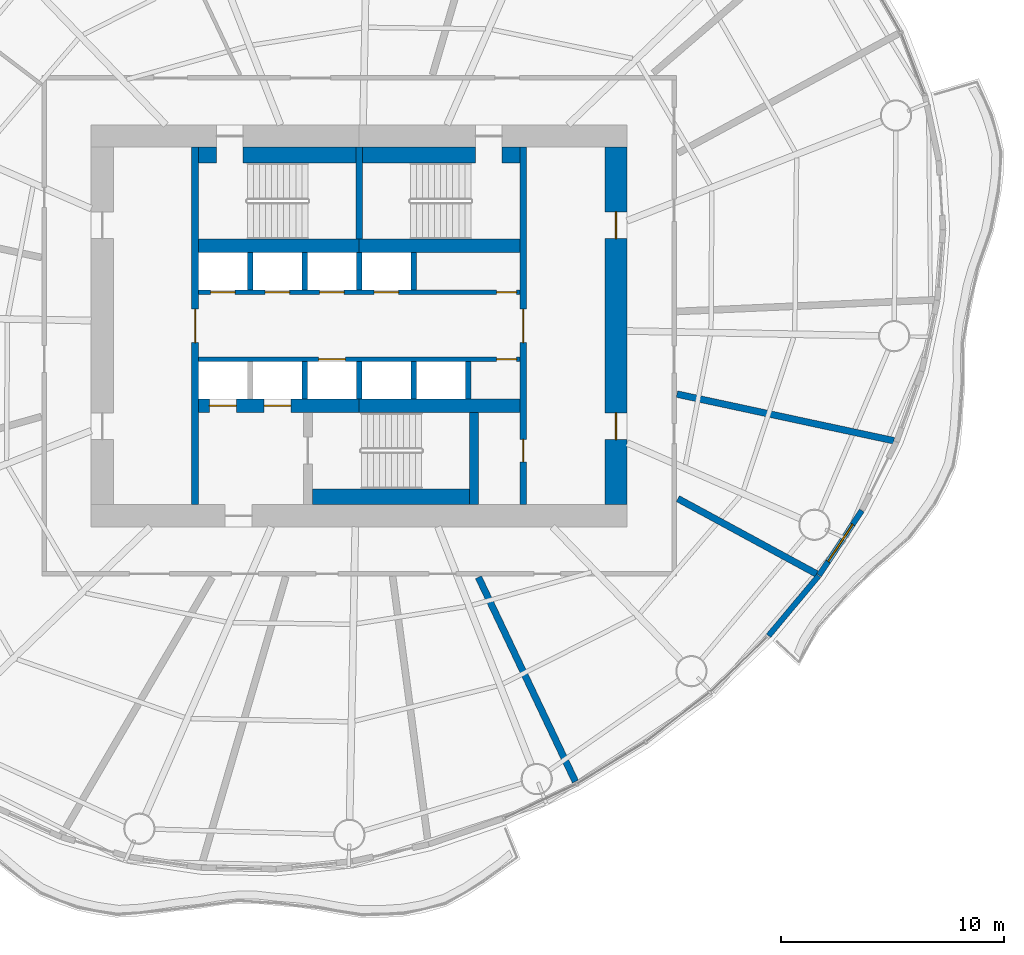
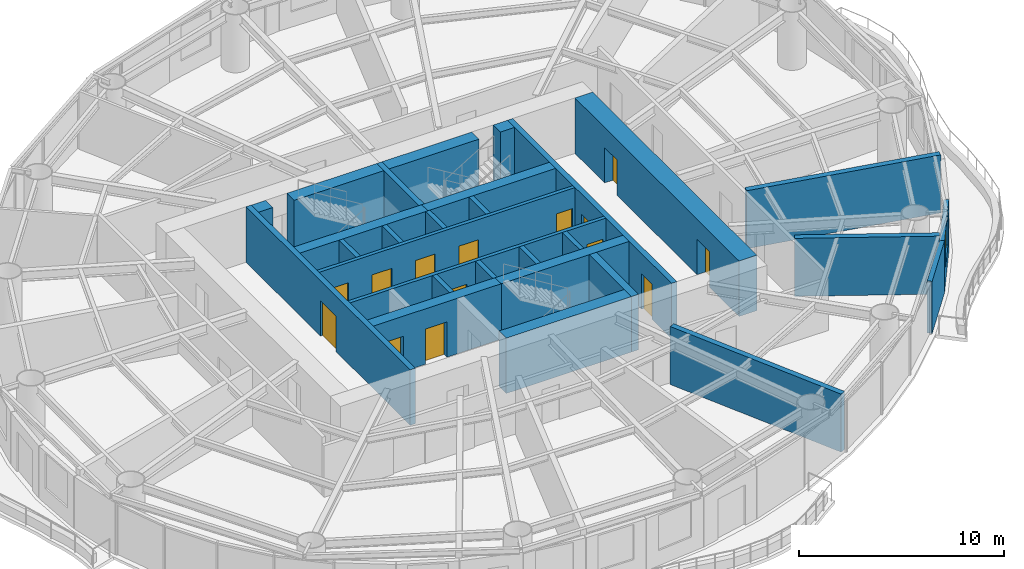
# One storey, part 9 of 14: 29 walls, 14 doors, 1 window, 15 openings.
"""IFC4 building model written with IfcOpenShell, lengths in metres."""

from ifc_helpers import new_model, si_unit, direction, frame, frame_2d, origin, place, context, subcontext, project, spatial, rectangle, extrude, material, layer, layer_set, type_object, element, fill, save


model = new_model("IFC4")

# Units and contexts
model_context = context("Model", 3, precision=1e-05, world=origin(), true_north=direction((0.0, 1.0)))
body_context = subcontext(model_context, "Body", "Model", "MODEL_VIEW")
ifc_project = project(units=[si_unit("LENGTHUNIT", "METRE"), si_unit("AREAUNIT", "SQUARE_METRE"), si_unit("VOLUMEUNIT", "CUBIC_METRE"), si_unit("PLANEANGLEUNIT", "RADIAN"), si_unit("MASSUNIT", "GRAM", prefix="KILO")], contexts=[model_context])

# Site, building, storey
site_placement = place(None, origin())
site = spatial("IfcSite", under=ifc_project, at=site_placement, CompositionType="ELEMENT")
building_placement = place(site_placement, origin())
building = spatial("IfcBuilding", under=site, at=building_placement, Name="Vermilion Reach Broadcast Tower", CompositionType="ELEMENT")
storey_placement = place(building_placement, frame((0.0, 0.0, 172.199951171875)))
storey = spatial("IfcBuildingStorey", under=building, at=storey_placement, Name="L41", CompositionType="ELEMENT", Elevation=172.199951171875)

# Wall, opening, door
ifc_material_1 = material(Name="Concrete C70", Category="concrete")
ifc_layer_1 = layer(ifc_material_1, 0.300048828125)
ifc_layer_set_1 = layer_set([ifc_layer_1], Name="Core inner wall 300 mm Concrete C70")
wall_type_1 = type_object("IfcWallType", Name="Core inner wall 300 mm Concrete C70", PredefinedType="SHEAR", material=ifc_layer_set_1)
wall_1_placement = place(storey_placement, frame((-13.35009765625, 8.0, 0.0), z_axis=(0.0, 0.0, 1.0), x_axis=(0.0, -1.0, 0.0)))
wall_1 = element("IfcWall", 1, at=wall_1_placement, inside=storey, type_object=wall_type_1, Name="L41 core wall ewW", PredefinedType="SHEAR", context=body_context, shape_type="SweptSolid", body=[
    extrude(rectangle(XDim=16.0, YDim=0.300048828125, at=frame_2d((8.0, 0.0))), origin(), (0.0, 0.0, 1.0), 3.300048828125),
])
opening_1_placement = place(wall_1_placement, frame((7.25, 0.0, 0.0)))
opening_1 = element("IfcOpeningElement", 2, at=opening_1_placement, cuts=wall_1, Name="Opening D04", PredefinedType="OPENING", context=body_context, shape_type="SweptSolid", body=[
    extrude(rectangle(XDim=1.5, YDim=2.10009765625, at=frame_2d((0.75, 1.050048828125))), frame((0.0, 0.159912109375, 0.0), z_axis=(0.0, -1.0, 0.0), x_axis=(1.0, 0.0, 0.0)), (0.0, 0.0, 1.0), 0.320068359375),
])
ifc_material_2 = material(Name="Painted steel fire door", Category="steel")
door_type_1 = type_object("IfcDoorType", Name="Lift lobby door 1500 x 2100", OperationType="DOUBLE_DOOR_SINGLE_SWING", PredefinedType="NOTDEFINED", material=ifc_material_2)
door_1_placement = place(opening_1_placement, origin())
door_1 = element("IfcDoor", 3, at=door_1_placement, inside=storey, type_object=door_type_1, Name="L41 band door BW", OperationType="DOUBLE_DOOR_SINGLE_SWING", OverallHeight=2.10009765625, OverallWidth=1.5, PredefinedType="NOTDEFINED", context=body_context, shape_type="SweptSolid", body=[
    extrude(rectangle(XDim=1.5, YDim=2.10009765625, at=frame_2d((0.75, 1.050048828125))), frame((0.0, 0.02490234375, 0.0), z_axis=(0.0, -1.0, 0.0), x_axis=(1.0, 0.0, 0.0)), (0.0, 0.0, 1.0), 0.050048828125),
])
fill(opening_1, door_1)

# Wall, openings, doors
wall_2_placement = place(storey_placement, frame((1.35009765625, -8.0, 0.0), z_axis=(0.0, 0.0, 1.0), x_axis=(0.0, 1.0, 0.0)))
wall_2 = element("IfcWall", 4, at=wall_2_placement, inside=storey, type_object=wall_type_1, Name="L41 core wall ewE", PredefinedType="SHEAR", context=body_context, shape_type="SweptSolid", body=[
    extrude(rectangle(XDim=16.0, YDim=0.300048828125, at=frame_2d((8.0, 0.0))), origin(), (0.0, 0.0, 1.0), 3.300048828125),
])
opening_2_placement = place(wall_2_placement, frame((1.909912109375, 0.0, 0.0)))
opening_2 = element("IfcOpeningElement", 5, at=opening_2_placement, cuts=wall_2, Name="Opening D05", PredefinedType="OPENING", context=body_context, shape_type="SweptSolid", body=[
    extrude(rectangle(XDim=1.0, YDim=2.10009765625, at=frame_2d((0.5, 1.050048828125))), frame((0.0, 0.159912109375, 0.0), z_axis=(0.0, -1.0, 0.0), x_axis=(1.0, 0.0, 0.0)), (0.0, 0.0, 1.0), 0.320068359375),
])
opening_3_placement = place(wall_2_placement, frame((7.25, 0.0, 0.0)))
opening_3 = element("IfcOpeningElement", 6, at=opening_3_placement, cuts=wall_2, Name="Opening D04", PredefinedType="OPENING", context=body_context, shape_type="SweptSolid", body=[
    extrude(rectangle(XDim=1.5, YDim=2.10009765625, at=frame_2d((0.75, 1.050048828125))), frame((0.0, 0.159912109375, 0.0), z_axis=(0.0, -1.0, 0.0), x_axis=(1.0, 0.0, 0.0)), (0.0, 0.0, 1.0), 0.320068359375),
])
door_2_placement = place(opening_3_placement, origin())
door_2 = element("IfcDoor", 7, at=door_2_placement, inside=storey, type_object=door_type_1, Name="L41 band door BE", OperationType="DOUBLE_DOOR_SINGLE_SWING", OverallHeight=2.10009765625, OverallWidth=1.5, PredefinedType="NOTDEFINED", context=body_context, shape_type="SweptSolid", body=[
    extrude(rectangle(XDim=1.5, YDim=2.10009765625, at=frame_2d((0.75, 1.050048828125))), frame((0.0, 0.02490234375, 0.0), z_axis=(0.0, -1.0, 0.0), x_axis=(1.0, 0.0, 0.0)), (0.0, 0.0, 1.0), 0.050048828125),
])
fill(opening_3, door_2)
ifc_material_3 = material(Name="Timber door", Category="wood")
door_type_2 = type_object("IfcDoorType", Name="Room door 1000 x 2100", OperationType="NOTDEFINED", PredefinedType="NOTDEFINED", material=ifc_material_3)
door_3_placement = place(opening_2_placement, origin())
door_3 = element("IfcDoor", 8, at=door_3_placement, inside=storey, type_object=door_type_2, Name="L41 door SER", OperationType="SINGLE_SWING_LEFT", OverallHeight=2.10009765625, OverallWidth=1.0, PredefinedType="NOTDEFINED", context=body_context, shape_type="SweptSolid", body=[
    extrude(rectangle(XDim=1.0, YDim=2.10009765625, at=frame_2d((0.5, 1.050048828125))), frame((0.0, 0.02490234375, 0.0), z_axis=(0.0, -1.0, 0.0), x_axis=(1.0, 0.0, 0.0)), (0.0, 0.0, 1.0), 0.050048828125),
])
fill(opening_2, door_3)

# Walls
wall_3_placement = place(storey_placement, frame((-6.0, 3.8798828125, 0.0), z_axis=(0.0, 0.0, 1.0), x_axis=(0.0, 1.0, 0.0)))
element("IfcWall", 9, at=wall_3_placement, inside=storey, type_object=wall_type_1, Name="L41 core wall wc", PredefinedType="SHEAR", context=body_context, shape_type="SweptSolid", body=[
    extrude(rectangle(XDim=4.1201171875, YDim=0.300048828125, at=frame_2d((2.06005859375, 0.0))), origin(), (0.0, 0.0, 1.0), 3.300048828125),
])
ifc_material_4 = material(Name="Concrete C70", Category="concrete")
ifc_layer_2 = layer(ifc_material_4, 0.39990234375)
ifc_layer_set_2 = layer_set([ifc_layer_2], Name="Core inner wall 400 mm Concrete C70")
wall_type_2 = type_object("IfcWallType", Name="Core inner wall 400 mm Concrete C70", PredefinedType="SHEAR", material=ifc_layer_set_2)
wall_4_placement = place(storey_placement, frame((-0.85009765625, -3.8798828125, 0.0), z_axis=(0.0, 0.0, 1.0), x_axis=(0.0, -1.0, 0.0)))
element("IfcWall", 10, at=wall_4_placement, inside=storey, type_object=wall_type_2, Name="L41 core wall wb", PredefinedType="SHEAR", context=body_context, shape_type="SweptSolid", body=[
    extrude(rectangle(XDim=4.1201171875, YDim=0.39990234375, at=frame_2d((2.06005859375, 0.0))), origin(), (0.0, 0.0, 1.0), 3.300048828125),
])
ifc_material_5 = material(Name="Concrete C70", Category="concrete")
ifc_layer_3 = layer(ifc_material_5, 0.60009765625)
ifc_layer_set_3 = layer_set([ifc_layer_3], Name="Core inner wall 600 mm Concrete C70")
wall_type_3 = type_object("IfcWallType", Name="Core inner wall 600 mm Concrete C70", PredefinedType="SHEAR", material=ifc_layer_set_3)
for number, where, z_axis, x_axis, name in (
    (11, (-13.199951171875, 3.580078125, 0.0), (0.0, 0.0, 1.0), (1.0, 0.0, 0.0), "L41 core wall winW"),
    (12, (-6.0, 3.580078125, 0.0), (0.0, 0.0, 1.0), (1.0, 0.0, 0.0), "L41 core wall winE"),
):
    element("IfcWall", number, at=place(storey_placement, frame(where, z_axis=z_axis, x_axis=x_axis)), inside=storey, type_object=wall_type_3, Name=name, PredefinedType="SHEAR", context=body_context, shape_type="SweptSolid", body=[
        extrude(rectangle(XDim=7.199951171875, YDim=0.60009765625, at=frame_2d((3.60009765625, 0.0))), origin(), (0.0, 0.0, 1.0), 3.300048828125),
    ])

# Wall, openings, doors
wall_5_placement = place(storey_placement, frame((-13.199951171875, -3.580078125, 0.0), z_axis=(0.0, 0.0, 1.0), x_axis=(1.0, 0.0, 0.0)))
wall_5 = element("IfcWall", 13, at=wall_5_placement, inside=storey, type_object=wall_type_3, Name="L41 core wall wisW", PredefinedType="SHEAR", context=body_context, shape_type="SweptSolid", body=[
    extrude(rectangle(XDim=7.199951171875, YDim=0.60009765625, at=frame_2d((3.60009765625, 0.0))), origin(), (0.0, 0.0, 1.0), 3.300048828125),
])
opening_4_placement = place(wall_5_placement, frame((0.495849609375, 0.0, 0.0)))
opening_4 = element("IfcOpeningElement", 14, at=opening_4_placement, cuts=wall_5, Name="Opening LD1", PredefinedType="OPENING", context=body_context, shape_type="SweptSolid", body=[
    extrude(rectangle(XDim=1.199951171875, YDim=2.10009765625, at=frame_2d((0.60009765625, 1.050048828125))), frame((0.0, 0.31005859375, 0.0), z_axis=(0.0, -1.0, 0.0), x_axis=(1.0, 0.0, 0.0)), (0.0, 0.0, 1.0), 0.6201171875),
])
opening_5_placement = place(wall_5_placement, frame((2.9375, 0.0, 0.0)))
opening_5 = element("IfcOpeningElement", 15, at=opening_5_placement, cuts=wall_5, Name="Opening LD1", PredefinedType="OPENING", context=body_context, shape_type="SweptSolid", body=[
    extrude(rectangle(XDim=1.199951171875, YDim=2.10009765625, at=frame_2d((0.60009765625, 1.050048828125))), frame((0.0, 0.31005859375, 0.0), z_axis=(0.0, -1.0, 0.0), x_axis=(1.0, 0.0, 0.0)), (0.0, 0.0, 1.0), 0.6201171875),
])
ifc_material_6 = material(Name="Stainless steel", Category="steel")
door_type_3 = type_object("IfcDoorType", Name="Landing door 1200 x 2100", OperationType="DOUBLE_DOOR_SLIDING", PredefinedType="NOTDEFINED", material=ifc_material_6)
door_4_placement = place(opening_4_placement, origin())
door_4 = element("IfcDoor", 16, at=door_4_placement, inside=storey, type_object=door_type_3, Name="L41 landing door FF1", OperationType="DOUBLE_DOOR_SLIDING", OverallHeight=2.10009765625, OverallWidth=1.199951171875, PredefinedType="NOTDEFINED", context=body_context, shape_type="SweptSolid", body=[
    extrude(rectangle(XDim=1.199951171875, YDim=2.10009765625, at=frame_2d((0.60009765625, 1.050048828125))), frame((0.0, 0.02490234375, 0.0), z_axis=(0.0, -1.0, 0.0), x_axis=(1.0, 0.0, 0.0)), (0.0, 0.0, 1.0), 0.050048828125),
])
fill(opening_4, door_4)
door_5_placement = place(opening_5_placement, origin())
door_5 = element("IfcDoor", 17, at=door_5_placement, inside=storey, type_object=door_type_3, Name="L41 landing door FF2", OperationType="DOUBLE_DOOR_SLIDING", OverallHeight=2.10009765625, OverallWidth=1.199951171875, PredefinedType="NOTDEFINED", context=body_context, shape_type="SweptSolid", body=[
    extrude(rectangle(XDim=1.199951171875, YDim=2.10009765625, at=frame_2d((0.60009765625, 1.050048828125))), frame((0.0, 0.02490234375, 0.0), z_axis=(0.0, -1.0, 0.0), x_axis=(1.0, 0.0, 0.0)), (0.0, 0.0, 1.0), 0.050048828125),
])
fill(opening_5, door_5)

# Wall
wall_6_placement = place(storey_placement, frame((-6.0, -3.580078125, 0.0), z_axis=(0.0, 0.0, 1.0), x_axis=(1.0, 0.0, 0.0)))
element("IfcWall", 18, at=wall_6_placement, inside=storey, type_object=wall_type_3, Name="L41 core wall wisE", PredefinedType="SHEAR", context=body_context, shape_type="SweptSolid", body=[
    extrude(rectangle(XDim=7.199951171875, YDim=0.60009765625, at=frame_2d((3.60009765625, 0.0))), origin(), (0.0, 0.0, 1.0), 3.300048828125),
])

# Wall, openings, doors
ifc_material_7 = material(Name="Concrete C70", Category="concrete")
ifc_layer_4 = layer(ifc_material_7, 1.0)
ifc_layer_set_4 = layer_set([ifc_layer_4], Name="Core outer wall 1000 mm Concrete C70")
wall_type_4 = type_object("IfcWallType", Name="Core outer wall 1000 mm Concrete C70", PredefinedType="SHEAR", material=ifc_layer_set_4)
wall_7_placement = place(storey_placement, frame((5.5, -8.0, 0.0), z_axis=(0.0, 0.0, 1.0), x_axis=(0.0, 1.0, 0.0)))
wall_7 = element("IfcWall", 19, at=wall_7_placement, inside=storey, type_object=wall_type_4, Name="L41 core wall oe", PredefinedType="SHEAR", context=body_context, shape_type="SweptSolid", body=[
    extrude(rectangle(XDim=16.0, YDim=1.0, at=frame_2d((8.0, 0.0))), origin(), (0.0, 0.0, 1.0), 3.300048828125),
])
opening_6_placement = place(wall_7_placement, frame((2.89990234375, 0.0, 0.0)))
opening_6 = element("IfcOpeningElement", 20, at=opening_6_placement, cuts=wall_7, Name="Opening D03", PredefinedType="OPENING", context=body_context, shape_type="SweptSolid", body=[
    extrude(rectangle(XDim=1.199951171875, YDim=2.10009765625, at=frame_2d((0.60009765625, 1.050048828125))), frame((0.0, 0.510009765625, 0.0), z_axis=(0.0, -1.0, 0.0), x_axis=(1.0, 0.0, 0.0)), (0.0, 0.0, 1.0), 1.02001953125),
])
opening_7_placement = place(wall_7_placement, frame((11.89990234375, 0.0, 0.0)))
opening_7 = element("IfcOpeningElement", 21, at=opening_7_placement, cuts=wall_7, Name="Opening D03", PredefinedType="OPENING", context=body_context, shape_type="SweptSolid", body=[
    extrude(rectangle(XDim=1.199951171875, YDim=2.10009765625, at=frame_2d((0.60009765625, 1.050048828125))), frame((0.0, 0.510009765625, 0.0), z_axis=(0.0, -1.0, 0.0), x_axis=(1.0, 0.0, 0.0)), (0.0, 0.0, 1.0), 1.02001953125),
])
ifc_material_8 = material(Name="Painted steel fire door", Category="steel")
door_type_4 = type_object("IfcDoorType", Name="Core lobby door 1200 x 2100", OperationType="DOUBLE_DOOR_SINGLE_SWING", PredefinedType="NOTDEFINED", material=ifc_material_8)
door_6_placement = place(opening_6_placement, origin())
door_6 = element("IfcDoor", 22, at=door_6_placement, inside=storey, type_object=door_type_4, Name="L41 slot door E0", OperationType="DOUBLE_DOOR_SINGLE_SWING", OverallHeight=2.10009765625, OverallWidth=1.199951171875, PredefinedType="NOTDEFINED", context=body_context, shape_type="SweptSolid", body=[
    extrude(rectangle(XDim=1.199951171875, YDim=2.10009765625, at=frame_2d((0.60009765625, 1.050048828125))), frame((0.0, 0.02490234375, 0.0), z_axis=(0.0, -1.0, 0.0), x_axis=(1.0, 0.0, 0.0)), (0.0, 0.0, 1.0), 0.050048828125),
])
fill(opening_6, door_6)
door_7_placement = place(opening_7_placement, origin())
door_7 = element("IfcDoor", 23, at=door_7_placement, inside=storey, type_object=door_type_4, Name="L41 slot door E1", OperationType="DOUBLE_DOOR_SINGLE_SWING", OverallHeight=2.10009765625, OverallWidth=1.199951171875, PredefinedType="NOTDEFINED", context=body_context, shape_type="SweptSolid", body=[
    extrude(rectangle(XDim=1.199951171875, YDim=2.10009765625, at=frame_2d((0.60009765625, 1.050048828125))), frame((0.0, 0.02490234375, 0.0), z_axis=(0.0, -1.0, 0.0), x_axis=(1.0, 0.0, 0.0)), (0.0, 0.0, 1.0), 0.050048828125),
])
fill(opening_7, door_7)

ifc_material_9 = material(Name="Concrete C50", Category="concrete")
ifc_layer_5 = layer(ifc_material_9, 0.199951171875)
ifc_layer_set_5 = layer_set([ifc_layer_5], Name="Core shaft wall 200 mm Concrete C50")
wall_type_5 = type_object("IfcWallType", Name="Core shaft wall 200 mm Concrete C50", PredefinedType="SHEAR", material=ifc_layer_set_5)
wall_8_placement = place(storey_placement, frame((-13.199951171875, 1.5, 0.0), z_axis=(0.0, 0.0, 1.0), x_axis=(1.0, 0.0, 0.0)))
wall_8 = element("IfcWall", 24, at=wall_8_placement, inside=storey, type_object=wall_type_5, Name="L41 core wall fn", PredefinedType="SHEAR", context=body_context, shape_type="SweptSolid", body=[
    extrude(rectangle(XDim=14.39990234375, YDim=0.199951171875, at=frame_2d((7.199951171875, 0.0))), origin(), (0.0, 0.0, 1.0), 3.300048828125),
])
opening_8_placement = place(wall_8_placement, frame((0.5458984375, 0.0, 0.0)))
opening_8 = element("IfcOpeningElement", 25, at=opening_8_placement, cuts=wall_8, Name="Opening LD2", PredefinedType="OPENING", context=body_context, shape_type="SweptSolid", body=[
    extrude(rectangle(XDim=1.10009765625, YDim=2.10009765625, at=frame_2d((0.550048828125, 1.050048828125))), frame((0.0, 0.10986328125, 0.0), z_axis=(0.0, -1.0, 0.0), x_axis=(1.0, 0.0, 0.0)), (0.0, 0.0, 1.0), 0.219970703125),
])
opening_9_placement = place(wall_8_placement, frame((2.987548828125, 0.0, 0.0)))
opening_9 = element("IfcOpeningElement", 26, at=opening_9_placement, cuts=wall_8, Name="Opening LD2", PredefinedType="OPENING", context=body_context, shape_type="SweptSolid", body=[
    extrude(rectangle(XDim=1.10009765625, YDim=2.10009765625, at=frame_2d((0.550048828125, 1.050048828125))), frame((0.0, 0.10986328125, 0.0), z_axis=(0.0, -1.0, 0.0), x_axis=(1.0, 0.0, 0.0)), (0.0, 0.0, 1.0), 0.219970703125),
])
opening_10_placement = place(wall_8_placement, frame((5.42919921875, 0.0, 0.0)))
opening_10 = element("IfcOpeningElement", 27, at=opening_10_placement, cuts=wall_8, Name="Opening LD2", PredefinedType="OPENING", context=body_context, shape_type="SweptSolid", body=[
    extrude(rectangle(XDim=1.10009765625, YDim=2.10009765625, at=frame_2d((0.550048828125, 1.050048828125))), frame((0.0, 0.10986328125, 0.0), z_axis=(0.0, -1.0, 0.0), x_axis=(1.0, 0.0, 0.0)), (0.0, 0.0, 1.0), 0.219970703125),
])
opening_11_placement = place(wall_8_placement, frame((7.870849609375, 0.0, 0.0)))
opening_11 = element("IfcOpeningElement", 28, at=opening_11_placement, cuts=wall_8, Name="Opening LD2", PredefinedType="OPENING", context=body_context, shape_type="SweptSolid", body=[
    extrude(rectangle(XDim=1.10009765625, YDim=2.10009765625, at=frame_2d((0.550048828125, 1.050048828125))), frame((0.0, 0.10986328125, 0.0), z_axis=(0.0, -1.0, 0.0), x_axis=(1.0, 0.0, 0.0)), (0.0, 0.0, 1.0), 0.219970703125),
])
opening_12_placement = place(wall_8_placement, frame((13.35009765625, 0.0, 0.0)))
opening_12 = element("IfcOpeningElement", 29, at=opening_12_placement, cuts=wall_8, Name="Opening D06", PredefinedType="OPENING", context=body_context, shape_type="SweptSolid", body=[
    extrude(rectangle(XDim=0.89990234375, YDim=2.10009765625, at=frame_2d((0.449951171875, 1.050048828125))), frame((0.0, 0.10986328125, 0.0), z_axis=(0.0, -1.0, 0.0), x_axis=(1.0, 0.0, 0.0)), (0.0, 0.0, 1.0), 0.219970703125),
])
ifc_material_10 = material(Name="Stainless steel", Category="steel")
door_type_5 = type_object("IfcDoorType", Name="Landing door 1100 x 2100", OperationType="DOUBLE_DOOR_SLIDING", PredefinedType="NOTDEFINED", material=ifc_material_10)
door_8_placement = place(opening_8_placement, origin())
door_8 = element("IfcDoor", 30, at=door_8_placement, inside=storey, type_object=door_type_5, Name="L41 landing door LR1", OperationType="DOUBLE_DOOR_SLIDING", OverallHeight=2.10009765625, OverallWidth=1.10009765625, PredefinedType="NOTDEFINED", context=body_context, shape_type="SweptSolid", body=[
    extrude(rectangle(XDim=1.10009765625, YDim=2.10009765625, at=frame_2d((0.550048828125, 1.050048828125))), frame((0.0, 0.02490234375, 0.0), z_axis=(0.0, -1.0, 0.0), x_axis=(1.0, 0.0, 0.0)), (0.0, 0.0, 1.0), 0.050048828125),
])
fill(opening_8, door_8)
door_9_placement = place(opening_9_placement, origin())
door_9 = element("IfcDoor", 31, at=door_9_placement, inside=storey, type_object=door_type_5, Name="L41 landing door LR2", OperationType="DOUBLE_DOOR_SLIDING", OverallHeight=2.10009765625, OverallWidth=1.10009765625, PredefinedType="NOTDEFINED", context=body_context, shape_type="SweptSolid", body=[
    extrude(rectangle(XDim=1.10009765625, YDim=2.10009765625, at=frame_2d((0.550048828125, 1.050048828125))), frame((0.0, 0.02490234375, 0.0), z_axis=(0.0, -1.0, 0.0), x_axis=(1.0, 0.0, 0.0)), (0.0, 0.0, 1.0), 0.050048828125),
])
fill(opening_9, door_9)
door_10_placement = place(opening_10_placement, origin())
door_10 = element("IfcDoor", 32, at=door_10_placement, inside=storey, type_object=door_type_5, Name="L41 landing door LR3", OperationType="DOUBLE_DOOR_SLIDING", OverallHeight=2.10009765625, OverallWidth=1.10009765625, PredefinedType="NOTDEFINED", context=body_context, shape_type="SweptSolid", body=[
    extrude(rectangle(XDim=1.10009765625, YDim=2.10009765625, at=frame_2d((0.550048828125, 1.050048828125))), frame((0.0, 0.02490234375, 0.0), z_axis=(0.0, -1.0, 0.0), x_axis=(1.0, 0.0, 0.0)), (0.0, 0.0, 1.0), 0.050048828125),
])
fill(opening_10, door_10)
door_11_placement = place(opening_11_placement, origin())
door_11 = element("IfcDoor", 33, at=door_11_placement, inside=storey, type_object=door_type_5, Name="L41 landing door LR4", OperationType="DOUBLE_DOOR_SLIDING", OverallHeight=2.10009765625, OverallWidth=1.10009765625, PredefinedType="NOTDEFINED", context=body_context, shape_type="SweptSolid", body=[
    extrude(rectangle(XDim=1.10009765625, YDim=2.10009765625, at=frame_2d((0.550048828125, 1.050048828125))), frame((0.0, 0.02490234375, 0.0), z_axis=(0.0, -1.0, 0.0), x_axis=(1.0, 0.0, 0.0)), (0.0, 0.0, 1.0), 0.050048828125),
])
fill(opening_11, door_11)
ifc_material_11 = material(Name="Timber door", Category="wood")
door_type_6 = type_object("IfcDoorType", Name="WC door 900 x 2100", OperationType="NOTDEFINED", PredefinedType="NOTDEFINED", material=ifc_material_11)
door_12_placement = place(opening_12_placement, origin())
door_12 = element("IfcDoor", 34, at=door_12_placement, inside=storey, type_object=door_type_6, Name="L41 door Female WC", OperationType="SINGLE_SWING_RIGHT", OverallHeight=2.10009765625, OverallWidth=0.89990234375, PredefinedType="NOTDEFINED", context=body_context, shape_type="SweptSolid", body=[
    extrude(rectangle(XDim=0.89990234375, YDim=2.10009765625, at=frame_2d((0.449951171875, 1.050048828125))), frame((0.0, 0.02490234375, 0.0), z_axis=(0.0, -1.0, 0.0), x_axis=(1.0, 0.0, 0.0)), (0.0, 0.0, 1.0), 0.050048828125),
])
fill(opening_12, door_12)

wall_9_placement = place(storey_placement, frame((1.199951171875, -1.5, 0.0), z_axis=(0.0, 0.0, 1.0), x_axis=(-1.0, 0.0, 0.0)))
wall_9 = element("IfcWall", 35, at=wall_9_placement, inside=storey, type_object=wall_type_5, Name="L41 core wall fs", PredefinedType="SHEAR", context=body_context, shape_type="SweptSolid", body=[
    extrude(rectangle(XDim=14.39990234375, YDim=0.199951171875, at=frame_2d((7.199951171875, 0.0))), origin(), (0.0, 0.0, 1.0), 3.300048828125),
])
opening_13_placement = place(wall_9_placement, frame((7.82080078125, 0.0, 0.0)))
opening_13 = element("IfcOpeningElement", 36, at=opening_13_placement, cuts=wall_9, Name="Opening LD1", PredefinedType="OPENING", context=body_context, shape_type="SweptSolid", body=[
    extrude(rectangle(XDim=1.199951171875, YDim=2.10009765625, at=frame_2d((0.60009765625, 1.050048828125))), frame((0.0, 0.10986328125, 0.0), z_axis=(0.0, -1.0, 0.0), x_axis=(1.0, 0.0, 0.0)), (0.0, 0.0, 1.0), 0.219970703125),
])
opening_14_placement = place(wall_9_placement, frame((0.14990234375, 0.0, 0.0)))
opening_14 = element("IfcOpeningElement", 37, at=opening_14_placement, cuts=wall_9, Name="Opening D06", PredefinedType="OPENING", context=body_context, shape_type="SweptSolid", body=[
    extrude(rectangle(XDim=0.89990234375, YDim=2.10009765625, at=frame_2d((0.449951171875, 1.050048828125))), frame((0.0, 0.10986328125, 0.0), z_axis=(0.0, -1.0, 0.0), x_axis=(1.0, 0.0, 0.0)), (0.0, 0.0, 1.0), 0.219970703125),
])
door_13_placement = place(opening_13_placement, origin())
door_13 = element("IfcDoor", 38, at=door_13_placement, inside=storey, type_object=door_type_3, Name="L41 landing door SV1", OperationType="DOUBLE_DOOR_SLIDING", OverallHeight=2.10009765625, OverallWidth=1.199951171875, PredefinedType="NOTDEFINED", context=body_context, shape_type="SweptSolid", body=[
    extrude(rectangle(XDim=1.199951171875, YDim=2.10009765625, at=frame_2d((0.60009765625, 1.050048828125))), frame((0.0, 0.02490234375, 0.0), z_axis=(0.0, -1.0, 0.0), x_axis=(1.0, 0.0, 0.0)), (0.0, 0.0, 1.0), 0.050048828125),
])
fill(opening_13, door_13)
door_14_placement = place(opening_14_placement, origin())
door_14 = element("IfcDoor", 39, at=door_14_placement, inside=storey, type_object=door_type_6, Name="L41 door Male WC", OperationType="SINGLE_SWING_LEFT", OverallHeight=2.10009765625, OverallWidth=0.89990234375, PredefinedType="NOTDEFINED", context=body_context, shape_type="SweptSolid", body=[
    extrude(rectangle(XDim=0.89990234375, YDim=2.10009765625, at=frame_2d((0.449951171875, 1.050048828125))), frame((0.0, 0.02490234375, 0.0), z_axis=(0.0, -1.0, 0.0), x_axis=(1.0, 0.0, 0.0)), (0.0, 0.0, 1.0), 0.050048828125),
])
fill(opening_14, door_14)

# Walls
ifc_material_12 = material(Name="Concrete C50", Category="concrete")
ifc_layer_6 = layer(ifc_material_12, 0.25)
ifc_layer_set_6 = layer_set([ifc_layer_6], Name="Core shaft wall 250 mm Concrete C50")
wall_type_6 = type_object("IfcWallType", Name="Core shaft wall 250 mm Concrete C50", PredefinedType="SHEAR", material=ifc_layer_set_6)
for number, where, z_axis, x_axis, name in (
    (40, (-10.88330078125, 1.60009765625, 0.0), (0.0, 0.0, 1.0), (0.0, 1.0, 0.0), "L41 core wall psN0"),
    (41, (-8.441650390625, 1.60009765625, 0.0), (0.0, 0.0, 1.0), (0.0, 1.0, 0.0), "L41 core wall psN1"),
    (42, (-6.0, 1.60009765625, 0.0), (0.0, 0.0, 1.0), (0.0, 1.0, 0.0), "L41 core wall psN2"),
    (43, (-3.558349609375, 1.60009765625, 0.0), (0.0, 0.0, 1.0), (0.0, 1.0, 0.0), "L41 core wall psN3"),
    (44, (-8.441650390625, -1.60009765625, 0.0), (0.0, 0.0, 1.0), (0.0, -1.0, 0.0), "L41 core wall psS1"),
    (45, (-6.0, -1.60009765625, 0.0), (0.0, 0.0, 1.0), (0.0, -1.0, 0.0), "L41 core wall psS2"),
    (46, (-3.558349609375, -1.60009765625, 0.0), (0.0, 0.0, 1.0), (0.0, -1.0, 0.0), "L41 core wall psS3"),
    (47, (-1.11669921875, -1.60009765625, 0.0), (0.0, 0.0, 1.0), (0.0, -1.0, 0.0), "L41 core wall psS4"),
):
    element("IfcWall", number, at=place(storey_placement, frame(where, z_axis=z_axis, x_axis=x_axis)), inside=storey, type_object=wall_type_6, Name=name, PredefinedType="SHEAR", context=body_context, shape_type="SweptSolid", body=[
        extrude(rectangle(XDim=1.679931640625, YDim=0.25, at=frame_2d((0.83984375, 0.0))), origin(), (0.0, 0.0, 1.0), 3.300048828125),
    ])
ifc_material_13 = material(Name="Concrete C70", Category="concrete")
ifc_layer_7 = layer(ifc_material_13, 0.699951171875)
ifc_layer_set_7 = layer_set([ifc_layer_7], Name="Core stair wall 700 mm Concrete C70")
wall_type_7 = type_object("IfcWallType", Name="Core stair wall 700 mm Concrete C70", PredefinedType="SHEAR", material=ifc_layer_set_7)
wall_10_placement = place(storey_placement, frame((-13.199951171875, 7.64990234375, 0.0), z_axis=(0.0, 0.0, 1.0), x_axis=(1.0, 0.0, 0.0)))
element("IfcWall", 48, at=wall_10_placement, inside=storey, type_object=wall_type_7, Name="L41 core wall l1a", PredefinedType="SHEAR", context=body_context, shape_type="SweptSolid", body=[
    extrude(rectangle(XDim=0.800048828125, YDim=0.699951171875, at=frame_2d((0.39990234375, 0.0))), origin(), (0.0, 0.0, 1.0), 3.300048828125),
])
for number, where, z_axis, x_axis, name in (
    (49, (-11.199951171875, 7.64990234375, 0.0), (0.0, 0.0, 1.0), (1.0, 0.0, 0.0), "L41 core wall l1b"),
    (50, (-5.85009765625, 7.64990234375, 0.0), (0.0, 0.0, 1.0), (1.0, 0.0, 0.0), "L41 core wall l2a"),
):
    element("IfcWall", number, at=place(storey_placement, frame(where, z_axis=z_axis, x_axis=x_axis)), inside=storey, type_object=wall_type_7, Name=name, PredefinedType="SHEAR", context=body_context, shape_type="SweptSolid", body=[
        extrude(rectangle(XDim=5.050048828125, YDim=0.699951171875, at=frame_2d((2.52490234375, 0.0))), origin(), (0.0, 0.0, 1.0), 3.300048828125),
    ])
wall_11_placement = place(storey_placement, frame((0.39990234375, 7.64990234375, 0.0), z_axis=(0.0, 0.0, 1.0), x_axis=(1.0, 0.0, 0.0)))
element("IfcWall", 51, at=wall_11_placement, inside=storey, type_object=wall_type_7, Name="L41 core wall l2b", PredefinedType="SHEAR", context=body_context, shape_type="SweptSolid", body=[
    extrude(rectangle(XDim=0.800048828125, YDim=0.699951171875, at=frame_2d((0.39990234375, 0.0))), origin(), (0.0, 0.0, 1.0), 3.300048828125),
])
wall_12_placement = place(storey_placement, frame((-8.10009765625, -7.64990234375, 0.0), z_axis=(0.0, 0.0, 1.0), x_axis=(1.0, 0.0, 0.0)))
element("IfcWall", 52, at=wall_12_placement, inside=storey, type_object=wall_type_7, Name="L41 core wall l3", PredefinedType="SHEAR", context=body_context, shape_type="SweptSolid", body=[
    extrude(rectangle(XDim=7.050048828125, YDim=0.699951171875, at=frame_2d((3.52490234375, 0.0))), origin(), (0.0, 0.0, 1.0), 3.300048828125),
])
ifc_material_14 = material(Name="Double-leaf plasterboard on isolated steel stud", Category="steel")
ifc_layer_8 = layer(ifc_material_14, 0.300048828125)
ifc_layer_set_8 = layer_set([ifc_layer_8], Name="Partition 300 acoustic double leaf")
wall_type_8 = type_object("IfcWallType", Name="Partition 300 acoustic double leaf", PredefinedType="PARTITIONING", material=ifc_layer_set_8)
wall_13_placement = place(storey_placement, frame((3.68115234375, -20.409912109375, 0.0), z_axis=(0.0, 0.0, 1.0), x_axis=(-0.428574614818, 0.903506391529, 0.0)))
element("IfcWall", 53, at=wall_13_placement, inside=storey, type_object=wall_type_8, Name="Partition 41.10", PredefinedType="PARTITIONING", context=body_context, shape_type="SweptSolid", body=[
    extrude(rectangle(XDim=10.122314453125, YDim=0.300048828125, at=frame_2d((5.06103515625, 0.0))), origin(), (0.0, 0.0, 1.0), 3.449951171875),
])
wall_14_placement = place(storey_placement, frame((14.48486328125, -11.112060546875, 0.0), z_axis=(0.0, 0.0, 1.0), x_axis=(-0.879008547769, 0.476806011864, 0.0)))
element("IfcWall", 54, at=wall_14_placement, inside=storey, type_object=wall_type_8, Name="Partition 41.11", PredefinedType="PARTITIONING", context=body_context, shape_type="SweptSolid", body=[
    extrude(rectangle(XDim=7.068603515625, YDim=0.300048828125, at=frame_2d((3.5341796875, 0.0))), origin(), (0.0, 0.0, 1.0), 3.449951171875),
])
wall_15_placement = place(storey_placement, frame((17.945556640625, -5.1474609375, 0.0), z_axis=(0.0, 0.0, 1.0), x_axis=(-0.977667369108, 0.210158310286, 0.0)))
element("IfcWall", 55, at=wall_15_placement, inside=storey, type_object=wall_type_8, Name="Partition 41.12", PredefinedType="PARTITIONING", context=body_context, shape_type="SweptSolid", body=[
    extrude(rectangle(XDim=9.93603515625, YDim=0.300048828125, at=frame_2d((4.968017578125, 0.0))), origin(), (0.0, 0.0, 1.0), 3.449951171875),
])
ifc_material_15 = material(Name="Terracotta rainscreen cladding", Category="masonry")
ifc_layer_9 = layer(ifc_material_15, 0.25)
ifc_layer_set_9 = layer_set([ifc_layer_9], Name="Terracotta rainscreen wall 250")
wall_type_9 = type_object("IfcWallType", Name="Terracotta rainscreen wall 250", PredefinedType="SOLIDWALL", material=ifc_layer_set_9)
wall_16_placement = place(storey_placement, frame((12.33544921875, -13.877685546875, 0.0), z_axis=(0.0, 0.0, 1.0), x_axis=(0.64142670303, 0.767184322468, 0.0)))
element("IfcWall", 56, at=wall_16_placement, inside=storey, type_object=wall_type_9, Name="External wall L41 38", PredefinedType="SOLIDWALL", context=body_context, shape_type="SweptSolid", body=[
    extrude(rectangle(XDim=3.496337890625, YDim=0.25, at=frame_2d((1.748046875, 0.0))), origin(), (0.0, 0.0, 1.0), 3.10009765625),
])

# Wall, opening, window
wall_17_placement = place(storey_placement, frame((14.59130859375, -11.177490234375, 0.0), z_axis=(0.0, 0.0, 1.0), x_axis=(0.551021923649, 0.834490766671, 0.0)))
wall_17 = element("IfcWall", 57, at=wall_17_placement, inside=storey, type_object=wall_type_9, Name="External wall L41 39", PredefinedType="SOLIDWALL", context=body_context, shape_type="SweptSolid", body=[
    extrude(rectangle(XDim=3.482177734375, YDim=0.25, at=frame_2d((1.7412109375, 0.0))), origin(), (0.0, 0.0, 1.0), 3.10009765625),
])
opening_15_placement = place(wall_17_placement, frame((0.7412109375, 0.0, 0.89990234375)))
opening_15 = element("IfcOpeningElement", 58, at=opening_15_placement, cuts=wall_17, Name="Opening W03", PredefinedType="OPENING", context=body_context, shape_type="SweptSolid", body=[
    extrude(rectangle(XDim=2.0, YDim=2.10009765625, at=frame_2d((1.0, 1.050048828125))), frame((0.0, 0.135009765625, 0.0), z_axis=(0.0, -1.0, 0.0), x_axis=(1.0, 0.0, 0.0)), (0.0, 0.0, 1.0), 0.27001953125),
])
ifc_material_16 = material(Name="Low-e laminated clear glass in aluminium frame", Category="aluminium")
window_type = type_object("IfcWindowType", Name="Punched window 2000 x 2100 sill 900", PartitioningType="SINGLE_PANEL", PredefinedType="WINDOW", material=ifc_material_16)
window_placement = place(opening_15_placement, origin())
window = element("IfcWindow", 59, at=window_placement, inside=storey, type_object=window_type, Name="Window L41 39", OverallHeight=2.10009765625, OverallWidth=2.0, PartitioningType="SINGLE_PANEL", PredefinedType="WINDOW", context=body_context, shape_type="SweptSolid", body=[
    extrude(rectangle(XDim=2.0, YDim=2.10009765625, at=frame_2d((1.0, 1.050048828125))), frame((0.0, 0.030029296875, 0.0), z_axis=(0.0, -1.0, 0.0), x_axis=(1.0, 0.0, 0.0)), (0.0, 0.0, 1.0), 0.06005859375),
])
fill(opening_15, window)

save(model, "model.ifc")
